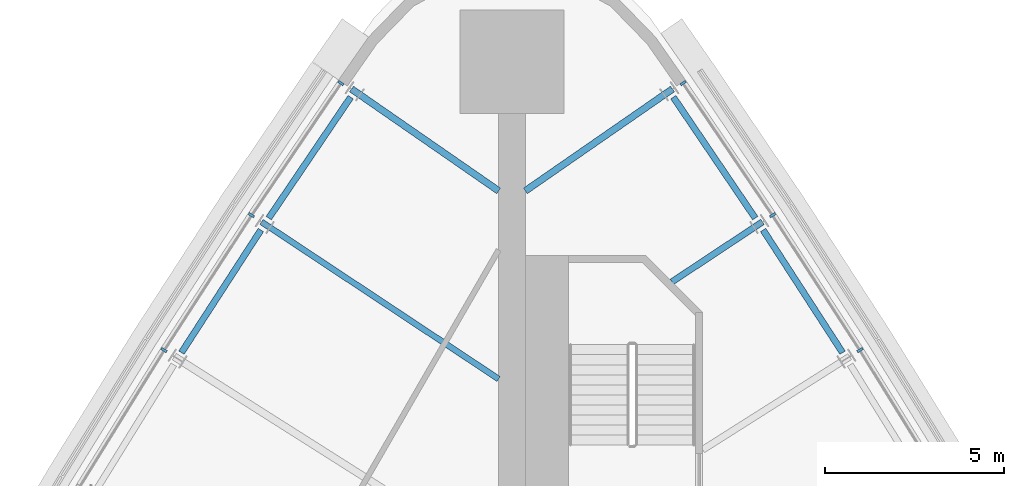
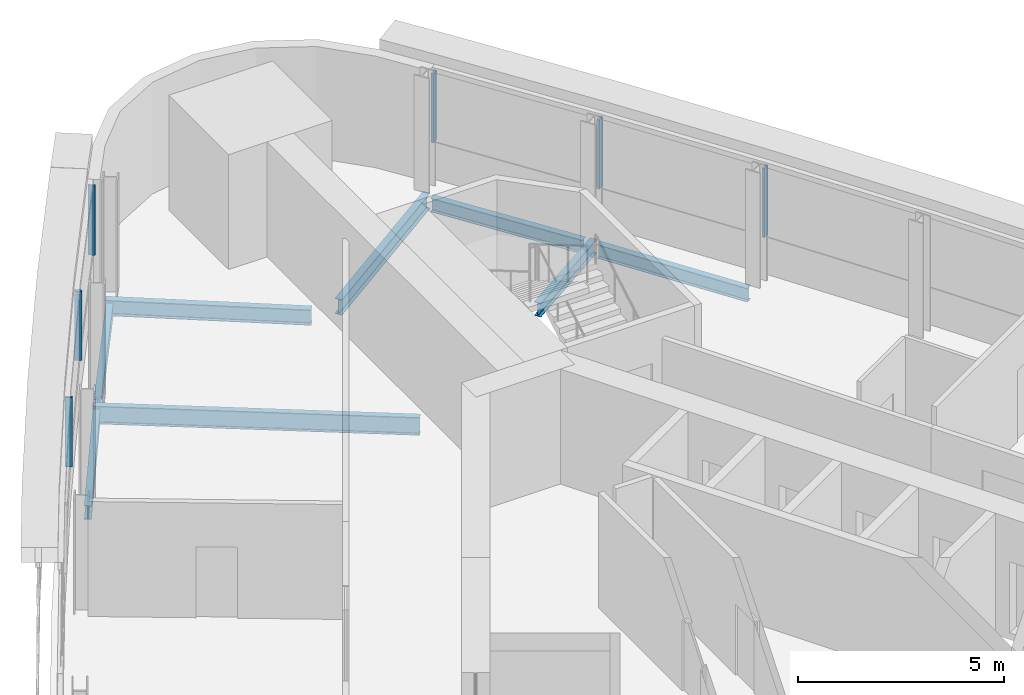
# One storey, part 7 of 13: 8 beams, 6 members, 2 elements without a shape of their own.
"""IFC4 building model written with IfcOpenShell, lengths in metres."""

from ifc_helpers import new_model, si_unit, direction, frame, origin, origin_2d, place, context, subcontext, project, spatial, rectangle, i_section, extrude, material, material_profile, profile_set, type_object, element, aggregate, save


model = new_model("IFC4")

# Units and contexts
model_context = context("Model", 3, precision=1e-05, world=origin(), true_north=direction((0.0, 1.0)))
body_context = subcontext(model_context, "Body", "Model", "MODEL_VIEW")
ifc_project = project(units=[si_unit("LENGTHUNIT", "METRE"), si_unit("AREAUNIT", "SQUARE_METRE"), si_unit("VOLUMEUNIT", "CUBIC_METRE"), si_unit("PLANEANGLEUNIT", "RADIAN"), si_unit("MASSUNIT", "GRAM", prefix="KILO")], contexts=[model_context])

# Site, building, storey
site_placement = place(None, origin())
site = spatial("IfcSite", under=ifc_project, at=site_placement, CompositionType="ELEMENT")
building_placement = place(site_placement, origin())
building = spatial("IfcBuilding", under=site, at=building_placement, Name="Noor Cloister Tower", CompositionType="ELEMENT")
storey_placement = place(building_placement, frame((0.0, 0.0, 140.10009765625)))
storey = spatial("IfcBuildingStorey", under=building, at=storey_placement, Name="L35", CompositionType="ELEMENT", Elevation=140.10009765625)

# Curtain wall, members
ifc_material_1 = material(Name="Aluminium 6063-T6 anodised", Category="aluminium")
curtain_wall_type = type_object("IfcCurtainWallType", Name="Ribbon curtain wall, upper tower CW5", PredefinedType="NOTDEFINED", material=ifc_material_1)
curtain_wall_1_placement = place(storey_placement, origin())
curtain_wall_1 = element("IfcCurtainWall", 1, at=curtain_wall_1_placement, inside=storey, type_object=curtain_wall_type, Name="CW5 L35 NW run 1", PredefinedType="NOTDEFINED")
ifc_material_2 = material(Name="Aluminium 6063-T6 anodised", Category="aluminium")
ifc_material_profile_1 = material_profile(ifc_material_2, rectangle(XDim=0.179931640625, YDim=0.070068359375, at=origin_2d()), Name="180 x 70 mullion")
ifc_profile_set_1 = profile_set([ifc_material_profile_1], Name="Aluminium 6063-T6 anodised")
member_type = type_object("IfcMemberType", Name="Mullion CW5 70 x 180", PredefinedType="MULLION", material=ifc_profile_set_1)
member_1_placement = place(storey_placement, frame((-4.790283203125, 23.478271484375, 1.099853515625), z_axis=(0.0, 0.0, 1.0), x_axis=(0.827946302722, -0.560807382092, 0.0)))
member_1 = element("IfcMember", 2, at=member_1_placement, type_object=member_type, Name="CW5 mullion 1", PredefinedType="MULLION", context=body_context, shape_type="SweptSolid", body=[
    extrude(rectangle(XDim=0.179931640625, YDim=0.070068359375, at=origin_2d()), origin(), (0.0, 0.0, 1.0), 2.050048828125),
])
member_2_placement = place(storey_placement, frame((-7.29345703125, 19.782470703125, 1.099853515625), z_axis=(0.0, 0.0, 1.0), x_axis=(0.833651922579, -0.552290206305, 0.0)))
member_2 = element("IfcMember", 3, at=member_2_placement, type_object=member_type, Name="CW5 mullion 2", PredefinedType="MULLION", context=body_context, shape_type="SweptSolid", body=[
    extrude(rectangle(XDim=0.179931640625, YDim=0.070068359375, at=origin_2d()), origin(), (0.0, 0.0, 1.0), 2.050048828125),
])
member_3_placement = place(storey_placement, frame((-9.739013671875, 16.007568359375, 1.099853515625), z_axis=(0.0, 0.0, 1.0), x_axis=(0.844799730459, -0.53508262485, 0.0)))
member_3 = element("IfcMember", 4, at=member_3_placement, type_object=member_type, Name="CW5 mullion 3", PredefinedType="MULLION", context=body_context, shape_type="SweptSolid", body=[
    extrude(rectangle(XDim=0.179931640625, YDim=0.070068359375, at=origin_2d()), origin(), (0.0, 0.0, 1.0), 2.050048828125),
])
aggregate(curtain_wall_1, [member_1, member_2, member_3])

curtain_wall_2_placement = place(storey_placement, origin())
curtain_wall_2 = element("IfcCurtainWall", 5, at=curtain_wall_2_placement, inside=storey, type_object=curtain_wall_type, Name="CW5 L35 NE run 3", PredefinedType="NOTDEFINED")
member_4_placement = place(storey_placement, frame((9.739013671875, 16.007568359375, 1.099853515625), z_axis=(0.0, 0.0, 1.0), x_axis=(-0.844799730459, -0.53508262485, 0.0)))
member_4 = element("IfcMember", 6, at=member_4_placement, type_object=member_type, Name="CW5 mullion 7", PredefinedType="MULLION", context=body_context, shape_type="SweptSolid", body=[
    extrude(rectangle(XDim=0.179931640625, YDim=0.070068359375, at=origin_2d()), origin(), (0.0, 0.0, 1.0), 2.050048828125),
])
member_5_placement = place(storey_placement, frame((7.29345703125, 19.782470703125, 1.099853515625), z_axis=(0.0, 0.0, 1.0), x_axis=(-0.833651922579, -0.552290206305, 0.0)))
member_5 = element("IfcMember", 7, at=member_5_placement, type_object=member_type, Name="CW5 mullion 8", PredefinedType="MULLION", context=body_context, shape_type="SweptSolid", body=[
    extrude(rectangle(XDim=0.179931640625, YDim=0.070068359375, at=origin_2d()), origin(), (0.0, 0.0, 1.0), 2.050048828125),
])
member_6_placement = place(storey_placement, frame((4.790283203125, 23.478271484375, 1.099853515625), z_axis=(0.0, 0.0, 1.0), x_axis=(-0.827946302722, -0.560807382092, 0.0)))
member_6 = element("IfcMember", 8, at=member_6_placement, type_object=member_type, Name="CW5 mullion 9", PredefinedType="MULLION", context=body_context, shape_type="SweptSolid", body=[
    extrude(rectangle(XDim=0.179931640625, YDim=0.070068359375, at=origin_2d()), origin(), (0.0, 0.0, 1.0), 2.050048828125),
])
aggregate(curtain_wall_2, [member_4, member_5, member_6])

# Beams
ifc_material_3 = material(Name="Steel ASTM A992 Gr 50", Category="steel")
ifc_material_profile_2 = material_profile(ifc_material_3, i_section(OverallWidth=0.177978515625, OverallDepth=0.406005859375, WebThickness=0.0078125, FlangeThickness=0.0126953125, FilletRadius=0.01025390625, at=origin_2d()), Name="W410x60")
ifc_profile_set_2 = profile_set([ifc_material_profile_2], Name="Steel ASTM A992 Gr 50")
beam_type_1 = type_object("IfcBeamType", Name="Radial beam W410x60", PredefinedType="BEAM", material=ifc_profile_set_2)
beam_1_placement = place(storey_placement, frame((7.007568359375, 19.593017578125, -0.403076171875), z_axis=(-0.833667112597, -0.552267277117, 0.0), x_axis=(0.552267277117, -0.833667112597, 0.0)))
element("IfcBeam", 9, at=beam_1_placement, inside=storey, type_object=beam_type_1, Name="Radial beam NE 08 L35", PredefinedType="BEAM", context=body_context, shape_type="SweptSolid", body=[
    extrude(i_section(OverallWidth=0.177978515625, OverallDepth=0.406005859375, WebThickness=0.0078125, FlangeThickness=0.0126953125, FilletRadius=0.01025390625, at=origin_2d()), origin(), (0.0, 0.0, 1.0), 3.03662109375),
])
ifc_material_4 = material(Name="Steel ASTM A992 Gr 50", Category="steel")
ifc_material_profile_3 = material_profile(ifc_material_4, i_section(OverallWidth=0.19091796875, OverallDepth=0.45703125, WebThickness=0.009033203125, FlangeThickness=0.014404296875, FilletRadius=0.01025390625, at=origin_2d()), Name="W460x74")
ifc_profile_set_3 = profile_set([ifc_material_profile_3], Name="Steel ASTM A992 Gr 50")
beam_type_2 = type_object("IfcBeamType", Name="Radial beam W460x74", PredefinedType="BEAM", material=ifc_profile_set_3)
for number, where, z_axis, x_axis, name in (
    (10, (-4.489013671875, 23.311279296875, -0.4287109375), (0.822148278839, -0.56927340321, 0.0), (0.56927340321, 0.822148278839, 0.0), "Radial beam NW 01 L35"),
    (11, (4.489013671875, 23.311279296875, -0.4287109375), (-0.822148278839, -0.56927340321, 0.0), (0.56927340321, -0.822148278839, 0.0), "Radial beam NE 09 L35"),
):
    element("IfcBeam", number, at=place(storey_placement, frame(where, z_axis=z_axis, x_axis=x_axis)), inside=storey, type_object=beam_type_2, Name=name, PredefinedType="BEAM", context=body_context, shape_type="SweptSolid", body=[
        extrude(i_section(OverallWidth=0.19091796875, OverallDepth=0.45703125, WebThickness=0.009033203125, FlangeThickness=0.014404296875, FilletRadius=0.01025390625, at=origin_2d()), origin(), (0.0, 0.0, 1.0), 5.00390625),
    ])
ifc_material_5 = material(Name="Steel ASTM A992 Gr 50", Category="steel")
ifc_material_profile_4 = material_profile(ifc_material_5, i_section(OverallWidth=0.166015625, OverallDepth=0.528076171875, WebThickness=0.009765625, FlangeThickness=0.013671875, FilletRadius=0.0126953125, at=origin_2d()), Name="W530x74")
ifc_profile_set_4 = profile_set([ifc_material_profile_4], Name="Steel ASTM A992 Gr 50")
beam_type_3 = type_object("IfcBeamType", Name="Radial beam W530x74", PredefinedType="BEAM", material=ifc_profile_set_4)
beam_2_placement = place(storey_placement, frame((-7.007568359375, 19.593017578125, -0.464111328125), z_axis=(0.833651934987, -0.552290187576, 0.0), x_axis=(0.552290187576, 0.833651934987, 0.0)))
element("IfcBeam", 12, at=beam_2_placement, inside=storey, type_object=beam_type_3, Name="Radial beam NW 02 L35", PredefinedType="BEAM", context=body_context, shape_type="SweptSolid", body=[
    extrude(i_section(OverallWidth=0.166015625, OverallDepth=0.528076171875, WebThickness=0.009765625, FlangeThickness=0.013671875, FilletRadius=0.0126953125, at=origin_2d()), origin(), (0.0, 0.0, 1.0), 7.9560546875),
])
ifc_material_6 = material(Name="Steel ASTM A992 Gr 50", Category="steel")
ifc_material_profile_5 = material_profile(ifc_material_6, i_section(OverallWidth=0.177978515625, OverallDepth=0.406005859375, WebThickness=0.0078125, FlangeThickness=0.0126953125, FilletRadius=0.01025390625, at=origin_2d()), Name="W410x60")
ifc_profile_set_5 = profile_set([ifc_material_profile_5], Name="Steel ASTM A992 Gr 50")
beam_type_4 = type_object("IfcBeamType", Name="Spandrel beam W410x60", PredefinedType="SPANDREL", material=ifc_profile_set_5)
beam_3_placement = place(storey_placement, frame((-4.512939453125, 23.085205078125, -0.403076171875), z_axis=(-0.560842865351, -0.827922267115, 0.0), x_axis=(0.827922267115, -0.560842865351, 0.0)))
element("IfcBeam", 13, at=beam_3_placement, inside=storey, type_object=beam_type_4, Name="Spandrel beam NW 01 L35", PredefinedType="SPANDREL", context=body_context, shape_type="SweptSolid", body=[
    extrude(i_section(OverallWidth=0.177978515625, OverallDepth=0.406005859375, WebThickness=0.0078125, FlangeThickness=0.0126953125, FilletRadius=0.01025390625, at=origin_2d()), origin(), (0.0, 0.0, 1.0), 4.08984375),
])
for number, where, z_axis, x_axis, name in (
    (14, (-7.02685546875, 19.366455078125, -0.403076171875), (-0.54371406046, -0.839270528767, 0.0), (0.839270528767, -0.54371406046, 0.0), "Spandrel beam NW 02 L35"),
    (15, (9.25048828125, 15.93408203125, -0.403076171875), (-0.54371406046, 0.839270528767, 0.0), (-0.839270528767, -0.54371406046, 0.0), "Spandrel beam NE 07 L35"),
):
    element("IfcBeam", number, at=place(storey_placement, frame(where, z_axis=z_axis, x_axis=x_axis)), inside=storey, type_object=beam_type_4, Name=name, PredefinedType="SPANDREL", context=body_context, shape_type="SweptSolid", body=[
        extrude(i_section(OverallWidth=0.177978515625, OverallDepth=0.406005859375, WebThickness=0.0078125, FlangeThickness=0.0126953125, FilletRadius=0.01025390625, at=origin_2d()), origin(), (0.0, 0.0, 1.0), 4.089599609375),
    ])
beam_4_placement = place(storey_placement, frame((6.806640625, 19.69921875, -0.403076171875), z_axis=(-0.560842865351, 0.827922267115, 0.0), x_axis=(-0.827922267115, -0.560842865351, 0.0)))
element("IfcBeam", 16, at=beam_4_placement, inside=storey, type_object=beam_type_4, Name="Spandrel beam NE 08 L35", PredefinedType="SPANDREL", context=body_context, shape_type="SweptSolid", body=[
    extrude(i_section(OverallWidth=0.177978515625, OverallDepth=0.406005859375, WebThickness=0.0078125, FlangeThickness=0.0126953125, FilletRadius=0.01025390625, at=origin_2d()), origin(), (0.0, 0.0, 1.0), 4.08984375),
])

save(model, "model.ifc")
